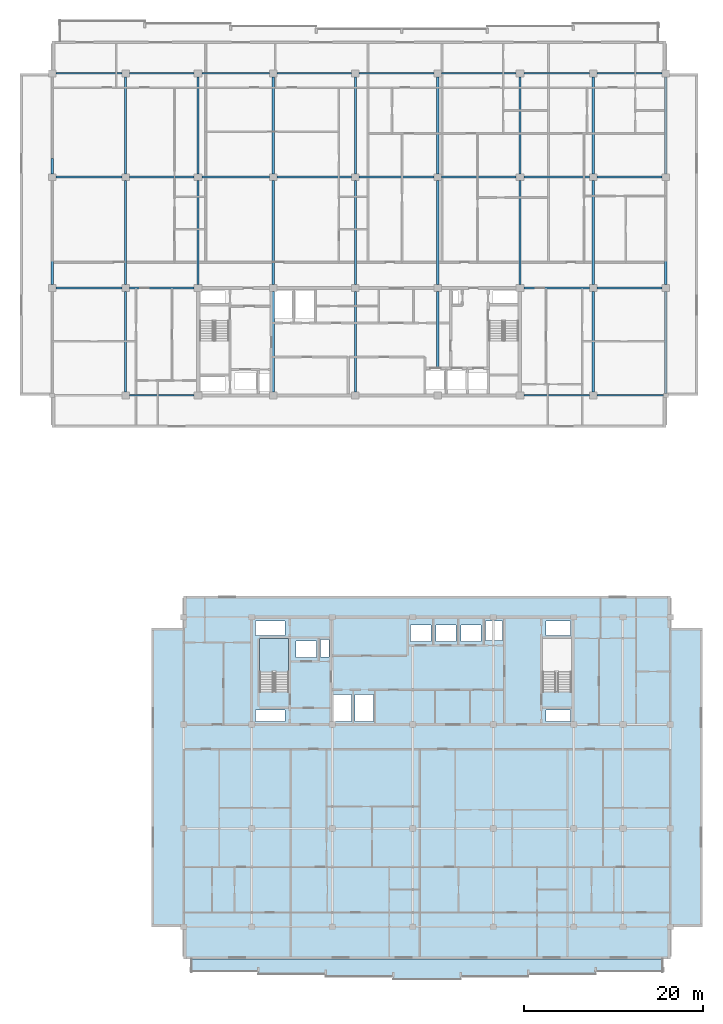
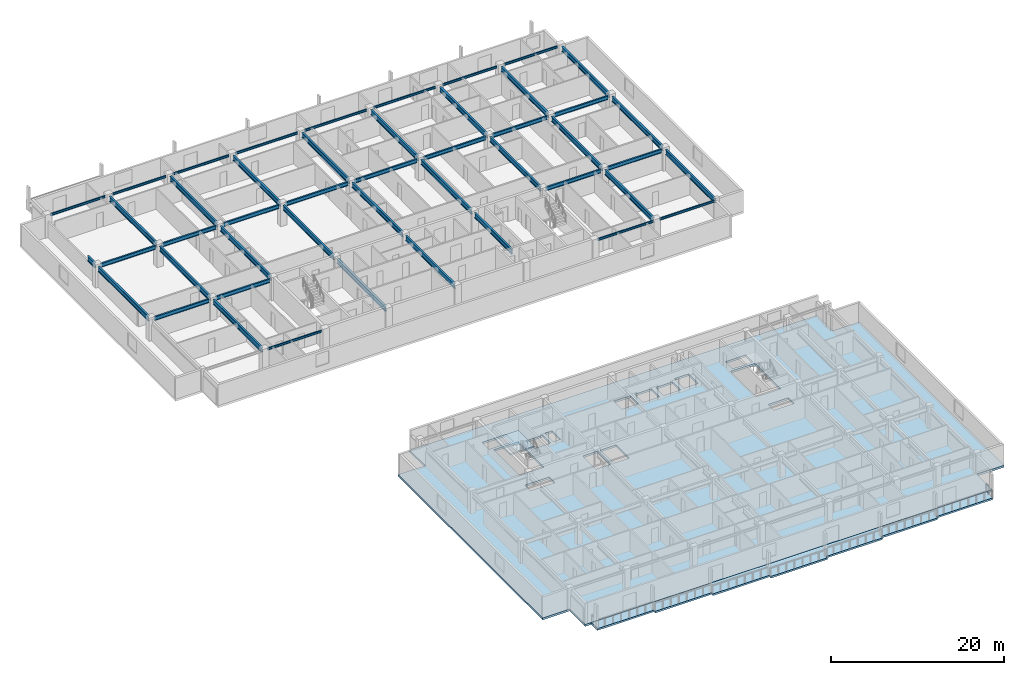
# One storey, part 2 of 21: 47 beams, 3 slabs, 1 element without a shape of its own.
"""IFC4 building model written with IfcOpenShell, lengths in metres."""

from ifc_helpers import new_model, si_unit, direction, frame, origin, origin_2d, place, context, subcontext, project, spatial, polyline, i_section, outline, extrude, material, layer, layer_set, material_profile, profile_set, type_object, element, aggregate, save


model = new_model("IFC4")

# Units and contexts
model_context = context("Model", 3, precision=1e-05, world=origin(), true_north=direction((0.0, 1.0)))
body_context = subcontext(model_context, "Body", "Model", "MODEL_VIEW")
ifc_project = project(units=[si_unit("LENGTHUNIT", "METRE"), si_unit("AREAUNIT", "SQUARE_METRE"), si_unit("VOLUMEUNIT", "CUBIC_METRE"), si_unit("PLANEANGLEUNIT", "RADIAN"), si_unit("MASSUNIT", "GRAM", prefix="KILO")], contexts=[model_context])

# Site, building, storey
site_placement = place(None, origin())
site = spatial("IfcSite", under=ifc_project, at=site_placement, CompositionType="ELEMENT")
building_placement = place(site_placement, origin())
building = spatial("IfcBuilding", under=site, at=building_placement, Name="Korimba Cascade Residences", CompositionType="ELEMENT")
storey_placement = place(building_placement, frame((0.0, 0.0, 184.85009765625)))
storey = spatial("IfcBuildingStorey", under=building, at=storey_placement, Name="L53", CompositionType="ELEMENT", Elevation=184.85009765625)

# Beams
ifc_material_1 = material(Name="Steel S355", Category="steel")
ifc_material_profile_1 = material_profile(ifc_material_1, i_section(OverallWidth=0.165771484375, OverallDepth=0.306640625, WebThickness=0.006591796875, FlangeThickness=0.01171875, FilletRadius=0.0087890625, at=origin_2d()), Name="Steel S355")
ifc_profile_set_1 = profile_set([ifc_material_profile_1], Name="Steel S355")
beam_type_1 = type_object("IfcBeamType", Name="BM-STL-UB305", PredefinedType="SPANDREL", material=ifc_profile_set_1)
beam_1_placement = place(storey_placement, frame((68.425048828125, 55.199951171875, 2.816650390625), z_axis=(1.0, 0.0, 0.0), x_axis=(0.0, 1.0, 0.0)))
element("IfcBeam", 1, at=beam_1_placement, inside=storey, type_object=beam_type_1, Name="L53 T1 E-W Girder Y1 Bay 2", PredefinedType="SPANDREL", context=body_context, shape_type="SweptSolid", body=[
    extrude(i_section(OverallWidth=0.165771484375, OverallDepth=0.306640625, WebThickness=0.006591796875, FlangeThickness=0.01171875, FilletRadius=0.0087890625, at=origin_2d()), origin(), (0.0, 0.0, 1.0), 7.25),
])
beam_2_placement = place(storey_placement, frame((112.52490234375, 55.199951171875, 2.816650390625), z_axis=(1.0, 0.0, 0.0), x_axis=(0.0, 1.0, 0.0)))
element("IfcBeam", 2, at=beam_2_placement, inside=storey, type_object=beam_type_1, Name="L53 T1 E-W Girder Y1 Bay 7", PredefinedType="SPANDREL", context=body_context, shape_type="SweptSolid", body=[
    extrude(i_section(OverallWidth=0.165771484375, OverallDepth=0.306640625, WebThickness=0.006591796875, FlangeThickness=0.01171875, FilletRadius=0.0087890625, at=origin_2d()), origin(), (0.0, 0.0, 1.0), 7.35009765625),
])
beam_3_placement = place(storey_placement, frame((120.72509765625, 55.199951171875, 2.816650390625), z_axis=(1.0, 0.0, 0.0), x_axis=(0.0, 1.0, 0.0)))
element("IfcBeam", 3, at=beam_3_placement, inside=storey, type_object=beam_type_1, Name="L53 T1 E-W Girder Y1 Bay 8", PredefinedType="SPANDREL", context=body_context, shape_type="SweptSolid", body=[
    extrude(i_section(OverallWidth=0.165771484375, OverallDepth=0.306640625, WebThickness=0.006591796875, FlangeThickness=0.01171875, FilletRadius=0.0087890625, at=origin_2d()), origin(), (0.0, 0.0, 1.0), 7.39990234375),
])
beam_4_placement = place(storey_placement, frame((60.22509765625, 91.199951171875, 2.816650390625), z_axis=(1.0, 0.0, 0.0), x_axis=(0.0, 1.0, 0.0)))
element("IfcBeam", 4, at=beam_4_placement, inside=storey, type_object=beam_type_1, Name="L53 T1 E-W Girder Y4 Bay 1", PredefinedType="SPANDREL", context=body_context, shape_type="SweptSolid", body=[
    extrude(i_section(OverallWidth=0.165771484375, OverallDepth=0.306640625, WebThickness=0.006591796875, FlangeThickness=0.01171875, FilletRadius=0.0087890625, at=origin_2d()), origin(), (0.0, 0.0, 1.0), 7.349853515625),
])
beam_5_placement = place(storey_placement, frame((68.425048828125, 91.199951171875, 2.816650390625), z_axis=(1.0, 0.0, 0.0), x_axis=(0.0, 1.0, 0.0)))
element("IfcBeam", 5, at=beam_5_placement, inside=storey, type_object=beam_type_1, Name="L53 T1 E-W Girder Y4 Bay 2", PredefinedType="SPANDREL", context=body_context, shape_type="SweptSolid", body=[
    extrude(i_section(OverallWidth=0.165771484375, OverallDepth=0.306640625, WebThickness=0.006591796875, FlangeThickness=0.01171875, FilletRadius=0.0087890625, at=origin_2d()), origin(), (0.0, 0.0, 1.0), 7.25),
])
beam_6_placement = place(storey_placement, frame((76.52490234375, 91.199951171875, 2.816650390625), z_axis=(1.0, 0.0, 0.0), x_axis=(0.0, 1.0, 0.0)))
element("IfcBeam", 6, at=beam_6_placement, inside=storey, type_object=beam_type_1, Name="L53 T1 E-W Girder Y4 Bay 3", PredefinedType="SPANDREL", context=body_context, shape_type="SweptSolid", body=[
    extrude(i_section(OverallWidth=0.165771484375, OverallDepth=0.306640625, WebThickness=0.006591796875, FlangeThickness=0.01171875, FilletRadius=0.0087890625, at=origin_2d()), origin(), (0.0, 0.0, 1.0), 7.550048828125),
])
beam_7_placement = place(storey_placement, frame((84.925048828125, 91.199951171875, 2.816650390625), z_axis=(1.0, 0.0, 0.0), x_axis=(0.0, 1.0, 0.0)))
element("IfcBeam", 7, at=beam_7_placement, inside=storey, type_object=beam_type_1, Name="L53 T1 E-W Girder Y4 Bay 4", PredefinedType="SPANDREL", context=body_context, shape_type="SweptSolid", body=[
    extrude(i_section(OverallWidth=0.165771484375, OverallDepth=0.306640625, WebThickness=0.006591796875, FlangeThickness=0.01171875, FilletRadius=0.0087890625, at=origin_2d()), origin(), (0.0, 0.0, 1.0), 8.349853515625),
])
for number, where, z_axis, x_axis, name in (
    (8, (94.125, 91.199951171875, 2.816650390625), (1.0, 0.0, 0.0), (0.0, 1.0, 0.0), "L53 T1 E-W Girder Y4 Bay 5"),
    (9, (103.324951171875, 91.199951171875, 2.816650390625), (1.0, 0.0, 0.0), (0.0, 1.0, 0.0), "L53 T1 E-W Girder Y4 Bay 6"),
):
    element("IfcBeam", number, at=place(storey_placement, frame(where, z_axis=z_axis, x_axis=x_axis)), inside=storey, type_object=beam_type_1, Name=name, PredefinedType="SPANDREL", context=body_context, shape_type="SweptSolid", body=[
        extrude(i_section(OverallWidth=0.165771484375, OverallDepth=0.306640625, WebThickness=0.006591796875, FlangeThickness=0.01171875, FilletRadius=0.0087890625, at=origin_2d()), origin(), (0.0, 0.0, 1.0), 8.35009765625),
    ])
beam_8_placement = place(storey_placement, frame((112.52490234375, 91.199951171875, 2.816650390625), z_axis=(1.0, 0.0, 0.0), x_axis=(0.0, 1.0, 0.0)))
element("IfcBeam", 10, at=beam_8_placement, inside=storey, type_object=beam_type_1, Name="L53 T1 E-W Girder Y4 Bay 7", PredefinedType="SPANDREL", context=body_context, shape_type="SweptSolid", body=[
    extrude(i_section(OverallWidth=0.165771484375, OverallDepth=0.306640625, WebThickness=0.006591796875, FlangeThickness=0.01171875, FilletRadius=0.0087890625, at=origin_2d()), origin(), (0.0, 0.0, 1.0), 7.35009765625),
])
beam_9_placement = place(storey_placement, frame((120.72509765625, 91.199951171875, 2.816650390625), z_axis=(1.0, 0.0, 0.0), x_axis=(0.0, 1.0, 0.0)))
element("IfcBeam", 11, at=beam_9_placement, inside=storey, type_object=beam_type_1, Name="L53 T1 E-W Girder Y4 Bay 8", PredefinedType="SPANDREL", context=body_context, shape_type="SweptSolid", body=[
    extrude(i_section(OverallWidth=0.165771484375, OverallDepth=0.306640625, WebThickness=0.006591796875, FlangeThickness=0.01171875, FilletRadius=0.0087890625, at=origin_2d()), origin(), (0.0, 0.0, 1.0), 7.25),
])
ifc_material_profile_2 = material_profile(ifc_material_1, i_section(OverallWidth=0.2099609375, OverallDepth=0.53662109375, WebThickness=0.0107421875, FlangeThickness=0.017333984375, FilletRadius=0.0126953125, at=origin_2d()), Name="Steel S355")
ifc_profile_set_2 = profile_set([ifc_material_profile_2], Name="Steel S355")
beam_type_2 = type_object("IfcBeamType", Name="BM-STL-UB533", PredefinedType="BEAM", material=ifc_profile_set_2)
beam_10_placement = place(storey_placement, frame((60.22509765625, 67.199951171875, 2.701416015625), z_axis=(1.0, 0.0, 0.0), x_axis=(0.0, 1.0, 0.0)))
element("IfcBeam", 12, at=beam_10_placement, inside=storey, type_object=beam_type_2, Name="L53 T1 E-W Girder Y2 Bay 1", PredefinedType="BEAM", context=body_context, shape_type="SweptSolid", body=[
    extrude(i_section(OverallWidth=0.2099609375, OverallDepth=0.53662109375, WebThickness=0.0107421875, FlangeThickness=0.017333984375, FilletRadius=0.0126953125, at=origin_2d()), origin(), (0.0, 0.0, 1.0), 7.349853515625),
])
beam_11_placement = place(storey_placement, frame((68.425048828125, 67.199951171875, 2.701416015625), z_axis=(1.0, 0.0, 0.0), x_axis=(0.0, 1.0, 0.0)))
element("IfcBeam", 13, at=beam_11_placement, inside=storey, type_object=beam_type_2, Name="L53 T1 E-W Girder Y2 Bay 2", PredefinedType="BEAM", context=body_context, shape_type="SweptSolid", body=[
    extrude(i_section(OverallWidth=0.2099609375, OverallDepth=0.53662109375, WebThickness=0.0107421875, FlangeThickness=0.017333984375, FilletRadius=0.0126953125, at=origin_2d()), origin(), (0.0, 0.0, 1.0), 7.25),
])
beam_12_placement = place(storey_placement, frame((112.52490234375, 67.199951171875, 2.701416015625), z_axis=(1.0, 0.0, 0.0), x_axis=(0.0, 1.0, 0.0)))
element("IfcBeam", 14, at=beam_12_placement, inside=storey, type_object=beam_type_2, Name="L53 T1 E-W Girder Y2 Bay 7", PredefinedType="BEAM", context=body_context, shape_type="SweptSolid", body=[
    extrude(i_section(OverallWidth=0.2099609375, OverallDepth=0.53662109375, WebThickness=0.0107421875, FlangeThickness=0.017333984375, FilletRadius=0.0126953125, at=origin_2d()), origin(), (0.0, 0.0, 1.0), 7.35009765625),
])
beam_13_placement = place(storey_placement, frame((120.72509765625, 67.199951171875, 2.701416015625), z_axis=(1.0, 0.0, 0.0), x_axis=(0.0, 1.0, 0.0)))
element("IfcBeam", 15, at=beam_13_placement, inside=storey, type_object=beam_type_2, Name="L53 T1 E-W Girder Y2 Bay 8", PredefinedType="BEAM", context=body_context, shape_type="SweptSolid", body=[
    extrude(i_section(OverallWidth=0.2099609375, OverallDepth=0.53662109375, WebThickness=0.0107421875, FlangeThickness=0.017333984375, FilletRadius=0.0126953125, at=origin_2d()), origin(), (0.0, 0.0, 1.0), 7.25),
])
beam_14_placement = place(storey_placement, frame((60.22509765625, 79.60009765625, 2.701416015625), z_axis=(1.0, 0.0, 0.0), x_axis=(0.0, 1.0, 0.0)))
element("IfcBeam", 16, at=beam_14_placement, inside=storey, type_object=beam_type_2, Name="L53 T1 E-W Girder Y3 Bay 1", PredefinedType="BEAM", context=body_context, shape_type="SweptSolid", body=[
    extrude(i_section(OverallWidth=0.2099609375, OverallDepth=0.53662109375, WebThickness=0.0107421875, FlangeThickness=0.017333984375, FilletRadius=0.0126953125, at=origin_2d()), origin(), (0.0, 0.0, 1.0), 7.349853515625),
])
beam_15_placement = place(storey_placement, frame((68.425048828125, 79.60009765625, 2.701416015625), z_axis=(1.0, 0.0, 0.0), x_axis=(0.0, 1.0, 0.0)))
element("IfcBeam", 17, at=beam_15_placement, inside=storey, type_object=beam_type_2, Name="L53 T1 E-W Girder Y3 Bay 2", PredefinedType="BEAM", context=body_context, shape_type="SweptSolid", body=[
    extrude(i_section(OverallWidth=0.2099609375, OverallDepth=0.53662109375, WebThickness=0.0107421875, FlangeThickness=0.017333984375, FilletRadius=0.0126953125, at=origin_2d()), origin(), (0.0, 0.0, 1.0), 7.25),
])
beam_16_placement = place(storey_placement, frame((76.52490234375, 79.60009765625, 2.701416015625), z_axis=(1.0, 0.0, 0.0), x_axis=(0.0, 1.0, 0.0)))
element("IfcBeam", 18, at=beam_16_placement, inside=storey, type_object=beam_type_2, Name="L53 T1 E-W Girder Y3 Bay 3", PredefinedType="BEAM", context=body_context, shape_type="SweptSolid", body=[
    extrude(i_section(OverallWidth=0.2099609375, OverallDepth=0.53662109375, WebThickness=0.0107421875, FlangeThickness=0.017333984375, FilletRadius=0.0126953125, at=origin_2d()), origin(), (0.0, 0.0, 1.0), 7.550048828125),
])
beam_17_placement = place(storey_placement, frame((84.925048828125, 79.60009765625, 2.701416015625), z_axis=(1.0, 0.0, 0.0), x_axis=(0.0, 1.0, 0.0)))
element("IfcBeam", 19, at=beam_17_placement, inside=storey, type_object=beam_type_2, Name="L53 T1 E-W Girder Y3 Bay 4", PredefinedType="BEAM", context=body_context, shape_type="SweptSolid", body=[
    extrude(i_section(OverallWidth=0.2099609375, OverallDepth=0.53662109375, WebThickness=0.0107421875, FlangeThickness=0.017333984375, FilletRadius=0.0126953125, at=origin_2d()), origin(), (0.0, 0.0, 1.0), 8.349853515625),
])
for number, where, z_axis, x_axis, name in (
    (20, (94.125, 79.60009765625, 2.701416015625), (1.0, 0.0, 0.0), (0.0, 1.0, 0.0), "L53 T1 E-W Girder Y3 Bay 5"),
    (21, (103.324951171875, 79.60009765625, 2.701416015625), (1.0, 0.0, 0.0), (0.0, 1.0, 0.0), "L53 T1 E-W Girder Y3 Bay 6"),
):
    element("IfcBeam", number, at=place(storey_placement, frame(where, z_axis=z_axis, x_axis=x_axis)), inside=storey, type_object=beam_type_2, Name=name, PredefinedType="BEAM", context=body_context, shape_type="SweptSolid", body=[
        extrude(i_section(OverallWidth=0.2099609375, OverallDepth=0.53662109375, WebThickness=0.0107421875, FlangeThickness=0.017333984375, FilletRadius=0.0126953125, at=origin_2d()), origin(), (0.0, 0.0, 1.0), 8.35009765625),
    ])
beam_18_placement = place(storey_placement, frame((112.52490234375, 79.60009765625, 2.701416015625), z_axis=(1.0, 0.0, 0.0), x_axis=(0.0, 1.0, 0.0)))
element("IfcBeam", 22, at=beam_18_placement, inside=storey, type_object=beam_type_2, Name="L53 T1 E-W Girder Y3 Bay 7", PredefinedType="BEAM", context=body_context, shape_type="SweptSolid", body=[
    extrude(i_section(OverallWidth=0.2099609375, OverallDepth=0.53662109375, WebThickness=0.0107421875, FlangeThickness=0.017333984375, FilletRadius=0.0126953125, at=origin_2d()), origin(), (0.0, 0.0, 1.0), 7.35009765625),
])
beam_19_placement = place(storey_placement, frame((120.72509765625, 79.60009765625, 2.701416015625), z_axis=(1.0, 0.0, 0.0), x_axis=(0.0, 1.0, 0.0)))
element("IfcBeam", 23, at=beam_19_placement, inside=storey, type_object=beam_type_2, Name="L53 T1 E-W Girder Y3 Bay 8", PredefinedType="BEAM", context=body_context, shape_type="SweptSolid", body=[
    extrude(i_section(OverallWidth=0.2099609375, OverallDepth=0.53662109375, WebThickness=0.0107421875, FlangeThickness=0.017333984375, FilletRadius=0.0126953125, at=origin_2d()), origin(), (0.0, 0.0, 1.0), 7.25),
])
ifc_material_profile_3 = material_profile(ifc_material_1, i_section(OverallWidth=0.255859375, OverallDepth=0.69287109375, WebThickness=0.014404296875, FlangeThickness=0.023681640625, FilletRadius=0.01513671875, at=origin_2d()), Name="Steel S355")
ifc_profile_set_3 = profile_set([ifc_material_profile_3], Name="Steel S355")
beam_type_3 = type_object("IfcBeamType", Name="BM-STL-UB686", PredefinedType="BEAM", material=ifc_profile_set_3)
beam_20_placement = place(storey_placement, frame((59.800048828125, 67.574951171875, 2.623291015625), z_axis=(0.0, 1.0, 0.0), x_axis=(-1.0, 0.0, 0.0)))
element("IfcBeam", 24, at=beam_20_placement, inside=storey, type_object=beam_type_3, Name="L53 T1 N-S Girder X1 Seg 2", PredefinedType="BEAM", context=body_context, shape_type="SweptSolid", body=[
    extrude(i_section(OverallWidth=0.255859375, OverallDepth=0.69287109375, WebThickness=0.014404296875, FlangeThickness=0.023681640625, FilletRadius=0.01513671875, at=origin_2d()), origin(), (0.0, 0.0, 1.0), 11.650146484375),
])
beam_21_placement = place(storey_placement, frame((59.800048828125, 79.97509765625, 2.623291015625), z_axis=(0.0, 1.0, 0.0), x_axis=(-1.0, 0.0, 0.0)))
element("IfcBeam", 25, at=beam_21_placement, inside=storey, type_object=beam_type_3, Name="L53 T1 N-S Girder X1 Seg 3", PredefinedType="BEAM", context=body_context, shape_type="SweptSolid", body=[
    extrude(i_section(OverallWidth=0.255859375, OverallDepth=0.69287109375, WebThickness=0.014404296875, FlangeThickness=0.023681640625, FilletRadius=0.01513671875, at=origin_2d()), origin(), (0.0, 0.0, 1.0), 1.724853515625),
])
beam_22_placement = place(storey_placement, frame((68.0, 55.574951171875, 2.623291015625), z_axis=(0.0, 1.0, 0.0), x_axis=(-1.0, 0.0, 0.0)))
element("IfcBeam", 26, at=beam_22_placement, inside=storey, type_object=beam_type_3, Name="L53 T1 N-S Girder X2 Seg 1", PredefinedType="BEAM", context=body_context, shape_type="SweptSolid", body=[
    extrude(i_section(OverallWidth=0.255859375, OverallDepth=0.69287109375, WebThickness=0.014404296875, FlangeThickness=0.023681640625, FilletRadius=0.01513671875, at=origin_2d()), origin(), (0.0, 0.0, 1.0), 11.25),
])
beam_23_placement = place(storey_placement, frame((68.0, 67.574951171875, 2.623291015625), z_axis=(0.0, 1.0, 0.0), x_axis=(-1.0, 0.0, 0.0)))
element("IfcBeam", 27, at=beam_23_placement, inside=storey, type_object=beam_type_3, Name="L53 T1 N-S Girder X2 Seg 2", PredefinedType="BEAM", context=body_context, shape_type="SweptSolid", body=[
    extrude(i_section(OverallWidth=0.255859375, OverallDepth=0.69287109375, WebThickness=0.014404296875, FlangeThickness=0.023681640625, FilletRadius=0.01513671875, at=origin_2d()), origin(), (0.0, 0.0, 1.0), 11.650146484375),
])
beam_24_placement = place(storey_placement, frame((68.0, 79.97509765625, 2.623291015625), z_axis=(0.0, 1.0, 0.0), x_axis=(-1.0, 0.0, 0.0)))
element("IfcBeam", 28, at=beam_24_placement, inside=storey, type_object=beam_type_3, Name="L53 T1 N-S Girder X2 Seg 3", PredefinedType="BEAM", context=body_context, shape_type="SweptSolid", body=[
    extrude(i_section(OverallWidth=0.255859375, OverallDepth=0.69287109375, WebThickness=0.014404296875, FlangeThickness=0.023681640625, FilletRadius=0.01513671875, at=origin_2d()), origin(), (0.0, 0.0, 1.0), 10.849853515625),
])
beam_25_placement = place(storey_placement, frame((76.10009765625, 67.574951171875, 2.623291015625), z_axis=(0.0, 1.0, 0.0), x_axis=(-1.0, 0.0, 0.0)))
element("IfcBeam", 29, at=beam_25_placement, inside=storey, type_object=beam_type_3, Name="L53 T1 N-S Girder X3 Seg 2", PredefinedType="BEAM", context=body_context, shape_type="SweptSolid", body=[
    extrude(i_section(OverallWidth=0.255859375, OverallDepth=0.69287109375, WebThickness=0.014404296875, FlangeThickness=0.023681640625, FilletRadius=0.01513671875, at=origin_2d()), origin(), (0.0, 0.0, 1.0), 11.650146484375),
])
beam_26_placement = place(storey_placement, frame((76.10009765625, 79.97509765625, 2.623291015625), z_axis=(0.0, 1.0, 0.0), x_axis=(-1.0, 0.0, 0.0)))
element("IfcBeam", 30, at=beam_26_placement, inside=storey, type_object=beam_type_3, Name="L53 T1 N-S Girder X3 Seg 3", PredefinedType="BEAM", context=body_context, shape_type="SweptSolid", body=[
    extrude(i_section(OverallWidth=0.255859375, OverallDepth=0.69287109375, WebThickness=0.014404296875, FlangeThickness=0.023681640625, FilletRadius=0.01513671875, at=origin_2d()), origin(), (0.0, 0.0, 1.0), 10.849853515625),
])
beam_27_placement = place(storey_placement, frame((84.5, 55.574951171875, 2.623291015625), z_axis=(0.0, 1.0, 0.0), x_axis=(-1.0, 0.0, 0.0)))
element("IfcBeam", 31, at=beam_27_placement, inside=storey, type_object=beam_type_3, Name="L53 T1 N-S Girder X4 Seg 1", PredefinedType="BEAM", context=body_context, shape_type="SweptSolid", body=[
    extrude(i_section(OverallWidth=0.255859375, OverallDepth=0.69287109375, WebThickness=0.014404296875, FlangeThickness=0.023681640625, FilletRadius=0.01513671875, at=origin_2d()), origin(), (0.0, 0.0, 1.0), 11.25),
])
beam_28_placement = place(storey_placement, frame((84.5, 67.574951171875, 2.623291015625), z_axis=(0.0, 1.0, 0.0), x_axis=(-1.0, 0.0, 0.0)))
element("IfcBeam", 32, at=beam_28_placement, inside=storey, type_object=beam_type_3, Name="L53 T1 N-S Girder X4 Seg 2", PredefinedType="BEAM", context=body_context, shape_type="SweptSolid", body=[
    extrude(i_section(OverallWidth=0.255859375, OverallDepth=0.69287109375, WebThickness=0.014404296875, FlangeThickness=0.023681640625, FilletRadius=0.01513671875, at=origin_2d()), origin(), (0.0, 0.0, 1.0), 11.650146484375),
])
beam_29_placement = place(storey_placement, frame((84.5, 79.97509765625, 2.623291015625), z_axis=(0.0, 1.0, 0.0), x_axis=(-1.0, 0.0, 0.0)))
element("IfcBeam", 33, at=beam_29_placement, inside=storey, type_object=beam_type_3, Name="L53 T1 N-S Girder X4 Seg 3", PredefinedType="BEAM", context=body_context, shape_type="SweptSolid", body=[
    extrude(i_section(OverallWidth=0.255859375, OverallDepth=0.69287109375, WebThickness=0.014404296875, FlangeThickness=0.023681640625, FilletRadius=0.01513671875, at=origin_2d()), origin(), (0.0, 0.0, 1.0), 10.849853515625),
])
beam_30_placement = place(storey_placement, frame((93.699951171875, 55.574951171875, 2.623291015625), z_axis=(0.0, 1.0, 0.0), x_axis=(-1.0, 0.0, 0.0)))
element("IfcBeam", 34, at=beam_30_placement, inside=storey, type_object=beam_type_3, Name="L53 T1 N-S Girder X5 Seg 1", PredefinedType="BEAM", context=body_context, shape_type="SweptSolid", body=[
    extrude(i_section(OverallWidth=0.255859375, OverallDepth=0.69287109375, WebThickness=0.014404296875, FlangeThickness=0.023681640625, FilletRadius=0.01513671875, at=origin_2d()), origin(), (0.0, 0.0, 1.0), 11.25),
])
beam_31_placement = place(storey_placement, frame((93.699951171875, 67.574951171875, 2.623291015625), z_axis=(0.0, 1.0, 0.0), x_axis=(-1.0, 0.0, 0.0)))
element("IfcBeam", 35, at=beam_31_placement, inside=storey, type_object=beam_type_3, Name="L53 T1 N-S Girder X5 Seg 2", PredefinedType="BEAM", context=body_context, shape_type="SweptSolid", body=[
    extrude(i_section(OverallWidth=0.255859375, OverallDepth=0.69287109375, WebThickness=0.014404296875, FlangeThickness=0.023681640625, FilletRadius=0.01513671875, at=origin_2d()), origin(), (0.0, 0.0, 1.0), 11.650146484375),
])
beam_32_placement = place(storey_placement, frame((93.699951171875, 79.97509765625, 2.623291015625), z_axis=(0.0, 1.0, 0.0), x_axis=(-1.0, 0.0, 0.0)))
element("IfcBeam", 36, at=beam_32_placement, inside=storey, type_object=beam_type_3, Name="L53 T1 N-S Girder X5 Seg 3", PredefinedType="BEAM", context=body_context, shape_type="SweptSolid", body=[
    extrude(i_section(OverallWidth=0.255859375, OverallDepth=0.69287109375, WebThickness=0.014404296875, FlangeThickness=0.023681640625, FilletRadius=0.01513671875, at=origin_2d()), origin(), (0.0, 0.0, 1.0), 10.849853515625),
])
beam_33_placement = place(storey_placement, frame((102.89990234375, 58.260009765625, 2.623291015625), z_axis=(0.0, 1.0, 0.0), x_axis=(-1.0, 0.0, 0.0)))
element("IfcBeam", 37, at=beam_33_placement, inside=storey, type_object=beam_type_3, Name="L53 T1 N-S Girder X6 Seg 1", PredefinedType="BEAM", context=body_context, shape_type="SweptSolid", body=[
    extrude(i_section(OverallWidth=0.255859375, OverallDepth=0.69287109375, WebThickness=0.014404296875, FlangeThickness=0.023681640625, FilletRadius=0.01513671875, at=origin_2d()), origin(), (0.0, 0.0, 1.0), 8.56494140625),
])
beam_34_placement = place(storey_placement, frame((102.89990234375, 67.574951171875, 2.623291015625), z_axis=(0.0, 1.0, 0.0), x_axis=(-1.0, 0.0, 0.0)))
element("IfcBeam", 38, at=beam_34_placement, inside=storey, type_object=beam_type_3, Name="L53 T1 N-S Girder X6 Seg 2", PredefinedType="BEAM", context=body_context, shape_type="SweptSolid", body=[
    extrude(i_section(OverallWidth=0.255859375, OverallDepth=0.69287109375, WebThickness=0.014404296875, FlangeThickness=0.023681640625, FilletRadius=0.01513671875, at=origin_2d()), origin(), (0.0, 0.0, 1.0), 11.650146484375),
])
beam_35_placement = place(storey_placement, frame((102.89990234375, 79.97509765625, 2.623291015625), z_axis=(0.0, 1.0, 0.0), x_axis=(-1.0, 0.0, 0.0)))
element("IfcBeam", 39, at=beam_35_placement, inside=storey, type_object=beam_type_3, Name="L53 T1 N-S Girder X6 Seg 3", PredefinedType="BEAM", context=body_context, shape_type="SweptSolid", body=[
    extrude(i_section(OverallWidth=0.255859375, OverallDepth=0.69287109375, WebThickness=0.014404296875, FlangeThickness=0.023681640625, FilletRadius=0.01513671875, at=origin_2d()), origin(), (0.0, 0.0, 1.0), 10.849853515625),
])
beam_36_placement = place(storey_placement, frame((112.10009765625, 67.574951171875, 2.623291015625), z_axis=(0.0, 1.0, 0.0), x_axis=(-1.0, 0.0, 0.0)))
element("IfcBeam", 40, at=beam_36_placement, inside=storey, type_object=beam_type_3, Name="L53 T1 N-S Girder X7 Seg 2", PredefinedType="BEAM", context=body_context, shape_type="SweptSolid", body=[
    extrude(i_section(OverallWidth=0.255859375, OverallDepth=0.69287109375, WebThickness=0.014404296875, FlangeThickness=0.023681640625, FilletRadius=0.01513671875, at=origin_2d()), origin(), (0.0, 0.0, 1.0), 11.650146484375),
])
beam_37_placement = place(storey_placement, frame((112.10009765625, 79.97509765625, 2.623291015625), z_axis=(0.0, 1.0, 0.0), x_axis=(-1.0, 0.0, 0.0)))
element("IfcBeam", 41, at=beam_37_placement, inside=storey, type_object=beam_type_3, Name="L53 T1 N-S Girder X7 Seg 3", PredefinedType="BEAM", context=body_context, shape_type="SweptSolid", body=[
    extrude(i_section(OverallWidth=0.255859375, OverallDepth=0.69287109375, WebThickness=0.014404296875, FlangeThickness=0.023681640625, FilletRadius=0.01513671875, at=origin_2d()), origin(), (0.0, 0.0, 1.0), 10.849853515625),
])
beam_38_placement = place(storey_placement, frame((120.300048828125, 55.574951171875, 2.623291015625), z_axis=(0.0, 1.0, 0.0), x_axis=(-1.0, 0.0, 0.0)))
element("IfcBeam", 42, at=beam_38_placement, inside=storey, type_object=beam_type_3, Name="L53 T1 N-S Girder X8 Seg 1", PredefinedType="BEAM", context=body_context, shape_type="SweptSolid", body=[
    extrude(i_section(OverallWidth=0.255859375, OverallDepth=0.69287109375, WebThickness=0.014404296875, FlangeThickness=0.023681640625, FilletRadius=0.01513671875, at=origin_2d()), origin(), (0.0, 0.0, 1.0), 11.25),
])
beam_39_placement = place(storey_placement, frame((120.300048828125, 67.574951171875, 2.623291015625), z_axis=(0.0, 1.0, 0.0), x_axis=(-1.0, 0.0, 0.0)))
element("IfcBeam", 43, at=beam_39_placement, inside=storey, type_object=beam_type_3, Name="L53 T1 N-S Girder X8 Seg 2", PredefinedType="BEAM", context=body_context, shape_type="SweptSolid", body=[
    extrude(i_section(OverallWidth=0.255859375, OverallDepth=0.69287109375, WebThickness=0.014404296875, FlangeThickness=0.023681640625, FilletRadius=0.01513671875, at=origin_2d()), origin(), (0.0, 0.0, 1.0), 11.650146484375),
])
beam_40_placement = place(storey_placement, frame((120.300048828125, 79.97509765625, 2.623291015625), z_axis=(0.0, 1.0, 0.0), x_axis=(-1.0, 0.0, 0.0)))
element("IfcBeam", 44, at=beam_40_placement, inside=storey, type_object=beam_type_3, Name="L53 T1 N-S Girder X8 Seg 3", PredefinedType="BEAM", context=body_context, shape_type="SweptSolid", body=[
    extrude(i_section(OverallWidth=0.255859375, OverallDepth=0.69287109375, WebThickness=0.014404296875, FlangeThickness=0.023681640625, FilletRadius=0.01513671875, at=origin_2d()), origin(), (0.0, 0.0, 1.0), 10.849853515625),
])
beam_41_placement = place(storey_placement, frame((128.39990234375, 55.425048828125, 2.623291015625), z_axis=(0.0, 1.0, 0.0), x_axis=(-1.0, 0.0, 0.0)))
element("IfcBeam", 45, at=beam_41_placement, inside=storey, type_object=beam_type_3, Name="L53 T1 N-S Girder X9 Seg 1", PredefinedType="BEAM", context=body_context, shape_type="SweptSolid", body=[
    extrude(i_section(OverallWidth=0.255859375, OverallDepth=0.69287109375, WebThickness=0.014404296875, FlangeThickness=0.023681640625, FilletRadius=0.01513671875, at=origin_2d()), origin(), (0.0, 0.0, 1.0), 11.39990234375),
])
beam_42_placement = place(storey_placement, frame((128.39990234375, 67.574951171875, 2.623291015625), z_axis=(0.0, 1.0, 0.0), x_axis=(-1.0, 0.0, 0.0)))
element("IfcBeam", 46, at=beam_42_placement, inside=storey, type_object=beam_type_3, Name="L53 T1 N-S Girder X9 Seg 2", PredefinedType="BEAM", context=body_context, shape_type="SweptSolid", body=[
    extrude(i_section(OverallWidth=0.255859375, OverallDepth=0.69287109375, WebThickness=0.014404296875, FlangeThickness=0.023681640625, FilletRadius=0.01513671875, at=origin_2d()), origin(), (0.0, 0.0, 1.0), 11.650146484375),
])
beam_43_placement = place(storey_placement, frame((128.39990234375, 79.97509765625, 2.623291015625), z_axis=(0.0, 1.0, 0.0), x_axis=(-1.0, 0.0, 0.0)))
element("IfcBeam", 47, at=beam_43_placement, inside=storey, type_object=beam_type_3, Name="L53 T1 N-S Girder X9 Seg 3", PredefinedType="BEAM", context=body_context, shape_type="SweptSolid", body=[
    extrude(i_section(OverallWidth=0.255859375, OverallDepth=0.69287109375, WebThickness=0.014404296875, FlangeThickness=0.023681640625, FilletRadius=0.01513671875, at=origin_2d()), origin(), (0.0, 0.0, 1.0), 10.849853515625),
])

# Stair, slab
ifc_material_2 = material(Name="Concrete C50/60", Category="concrete")
stair_type = type_object("IfcStairType", Name="STR-E1-18R-1806", PredefinedType="HALF_TURN_STAIR", material=ifc_material_2)
stair_placement = place(storey_placement, origin())
stair = element("IfcStair", 48, at=stair_placement, inside=storey, type_object=stair_type, Name="L53 Tower 2 West Fire Stair ST-E1", PredefinedType="HALF_TURN_STAIR")
ifc_layer_1 = layer(ifc_material_2, 0.199951171875)
ifc_layer_set_1 = layer_set([ifc_layer_1], Name="Concrete C50/60")
slab_type_1 = type_object("IfcSlabType", Name="SLB-LND-220", PredefinedType="LANDING", material=ifc_layer_set_1)
slab_1_placement = place(storey_placement, frame((0.0, 0.0, 1.4248046875)))
slab_1 = element("IfcSlab", 49, at=slab_1_placement, type_object=slab_type_1, Name="ST-E1 landing 1", PredefinedType="LANDING", context=body_context, shape_type="SweptSolid", body=[
    extrude(outline(polyline([(86.239990234375, 24.2900390625), (86.239990234375, 28.0), (83.0, 28.0), (83.0, 24.2900390625), (86.239990234375, 24.2900390625)])), origin(), (0.0, 0.0, 1.0), 0.2001953125),
])
aggregate(stair, [slab_1])

# Slabs
ifc_material_3 = material(Name="Precast concrete C40/50", Category="concrete")
ifc_layer_2 = layer(ifc_material_3, 0.239990234375)
ifc_layer_set_2 = layer_set([ifc_layer_2], Name="Precast concrete C40/50")
slab_type_2 = type_object("IfcSlabType", Name="SLB-LOG-240", PredefinedType="FLOOR", material=ifc_layer_set_2)
slab_2_placement = place(storey_placement, frame((0.0, 0.0, -0.239990234375)))
element("IfcSlab", 50, at=slab_2_placement, inside=storey, type_object=slab_type_2, Name="L53 Tower 2 South Loggia Slab", PredefinedType="FLOOR", context=body_context, shape_type="SweptSolid", body=[
    extrude(outline(polyline([(75.300048828125, -9.25), (82.843017578125, -9.25), (82.843017578125, -9.550048828125), (90.3857421875, -9.550048828125), (90.3857421875, -9.85009765625), (97.9287109375, -9.85009765625), (97.9287109375, -10.14990234375), (105.471435546875, -10.14990234375), (105.471435546875, -9.85009765625), (113.014404296875, -9.85009765625), (113.014404296875, -9.550048828125), (120.55712890625, -9.550048828125), (120.55712890625, -9.25), (128.10009765625, -9.25), (128.10009765625, -7.800048828125), (75.300048828125, -7.800048828125), (75.300048828125, -9.25)])), origin(), (0.0, 0.0, 1.0), 0.239990234375),
])
ifc_layer_3 = layer(ifc_material_2, 0.280029296875)
ifc_layer_set_3 = layer_set([ifc_layer_3], Name="Concrete C50/60")
slab_type_3 = type_object("IfcSlabType", Name="SLB-TYP-280", PredefinedType="FLOOR", material=ifc_layer_set_3)
slab_3_placement = place(storey_placement, frame((0.0, 0.0, -0.280029296875)))
element("IfcSlab", 51, at=slab_3_placement, inside=storey, type_object=slab_type_3, Name="L53 Tower 2 Floor Slab", PredefinedType="FLOOR", context=body_context, shape_type="SweptSolid", body=[
    extrude(outline(polyline([(74.5, -7.800048828125), (128.89990234375, -7.800048828125), (128.89990234375, -4.199951171875), (132.5, -4.199951171875), (132.5, 29.199951171875), (128.89990234375, 29.199951171875), (128.89990234375, 32.800048828125), (74.5, 32.800048828125), (74.5, 29.199951171875), (70.89990234375, 29.199951171875), (70.89990234375, -4.199951171875), (74.5, -4.199951171875), (74.5, -7.800048828125)]), holes=[polyline([(86.239990234375, 22.0849609375), (86.239990234375, 28.0), (83.0, 28.0), (83.0, 22.0849609375), (86.239990234375, 22.0849609375)]), polyline([(117.840087890625, 22.0849609375), (117.840087890625, 28.0), (114.60009765625, 28.0), (114.60009765625, 22.0849609375), (117.840087890625, 22.0849609375)]), polyline([(87.030029296875, 25.8798828125), (89.3701171875, 25.8798828125), (89.3701171875, 27.719970703125), (87.030029296875, 27.719970703125), (87.030029296875, 25.8798828125)]), polyline([(99.8798828125, 27.679931640625), (102.1201171875, 27.679931640625), (102.1201171875, 29.52001953125), (99.8798828125, 29.52001953125), (99.8798828125, 27.679931640625)]), polyline([(102.679931640625, 27.679931640625), (104.919921875, 27.679931640625), (104.919921875, 29.52001953125), (102.679931640625, 29.52001953125), (102.679931640625, 27.679931640625)]), polyline([(105.47998046875, 27.679931640625), (107.719970703125, 27.679931640625), (107.719970703125, 29.52001953125), (105.47998046875, 29.52001953125), (105.47998046875, 27.679931640625)]), polyline([(89.780029296875, 25.97998046875), (90.719970703125, 25.97998046875), (90.719970703125, 27.919921875), (89.780029296875, 27.919921875), (89.780029296875, 25.97998046875)]), polyline([(82.530029296875, 18.72998046875), (85.800048828125, 18.72998046875), (85.800048828125, 20.0400390625), (82.530029296875, 20.0400390625), (82.530029296875, 18.72998046875)]), polyline([(82.530029296875, 28.360107421875), (85.800048828125, 28.360107421875), (85.800048828125, 29.969970703125), (82.530029296875, 29.969970703125), (82.530029296875, 28.360107421875)]), polyline([(108.22998046875, 27.780029296875), (110.1201171875, 27.780029296875), (110.1201171875, 29.969970703125), (108.22998046875, 29.969970703125), (108.22998046875, 27.780029296875)]), polyline([(91.22998046875, 18.72998046875), (93.27001953125, 18.72998046875), (93.27001953125, 21.780029296875), (91.22998046875, 21.780029296875), (91.22998046875, 18.72998046875)]), polyline([(93.6298828125, 18.72998046875), (95.719970703125, 18.72998046875), (95.719970703125, 21.780029296875), (93.6298828125, 21.780029296875), (93.6298828125, 18.72998046875)]), polyline([(115.02001953125, 18.72998046875), (117.739990234375, 18.72998046875), (117.739990234375, 20.0400390625), (115.02001953125, 20.0400390625), (115.02001953125, 18.72998046875)]), polyline([(115.02001953125, 28.360107421875), (117.739990234375, 28.360107421875), (117.739990234375, 29.969970703125), (115.02001953125, 29.969970703125), (115.02001953125, 28.360107421875)])]), origin(), (0.0, 0.0, 1.0), 0.280029296875),
])

save(model, "model.ifc")
